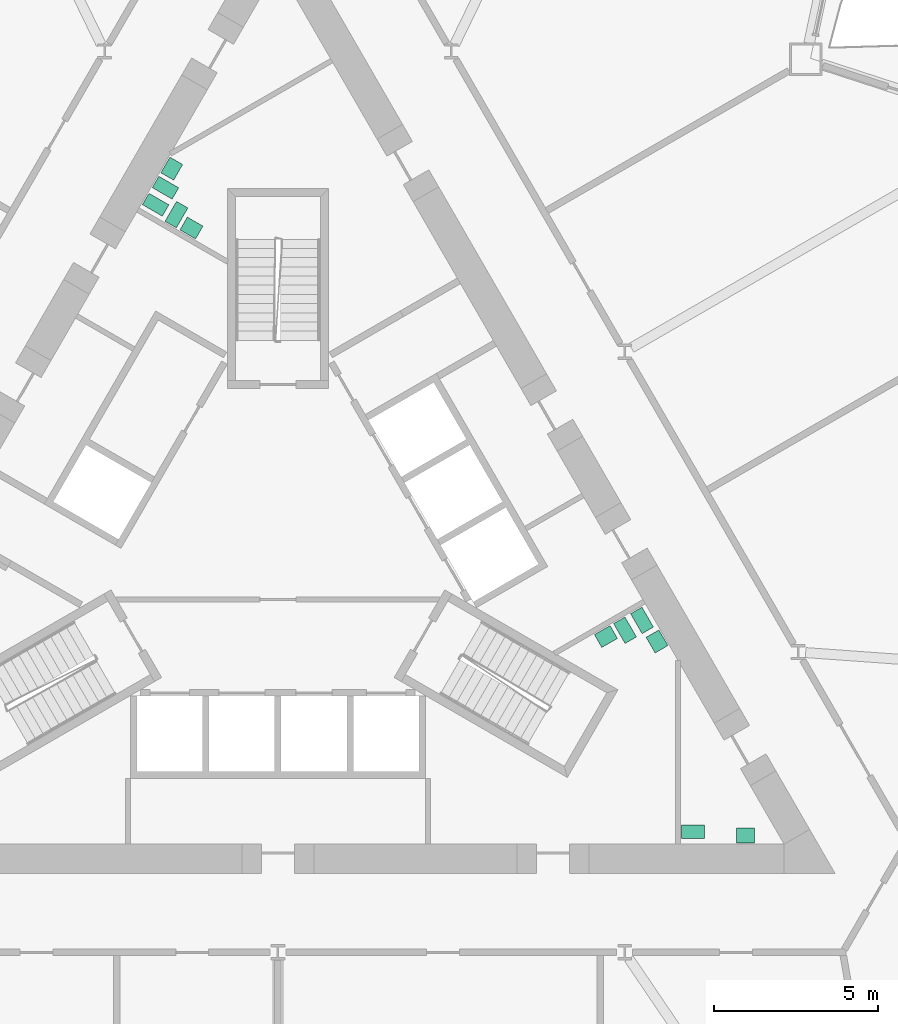
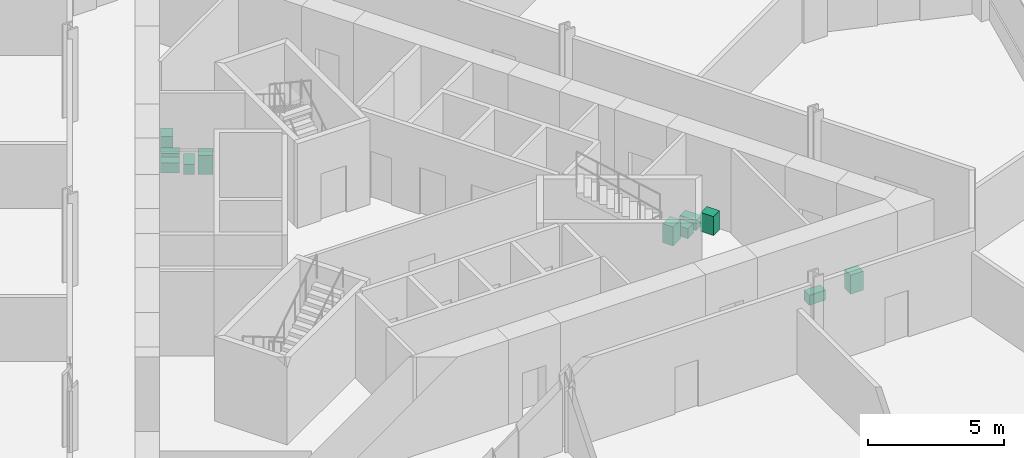
# One storey, part 20 of 21: 11 sanitary terminals.
"""IFC4 building model written with IfcOpenShell, lengths in metres."""

from ifc_helpers import new_model, si_unit, direction, frame, origin, origin_2d, place, context, subcontext, project, spatial, rectangle, extrude, material, type_object, element, save


model = new_model("IFC4")

# Units and contexts
model_context = context("Model", 3, precision=1e-05, world=origin(), true_north=direction((0.0, 1.0)))
body_context = subcontext(model_context, "Body", "Model", "MODEL_VIEW")
ifc_project = project(units=[si_unit("LENGTHUNIT", "METRE"), si_unit("AREAUNIT", "SQUARE_METRE"), si_unit("VOLUMEUNIT", "CUBIC_METRE"), si_unit("PLANEANGLEUNIT", "RADIAN"), si_unit("MASSUNIT", "GRAM", prefix="KILO")], contexts=[model_context])

# Site, building, storey
site_placement = place(None, origin())
site = spatial("IfcSite", under=ifc_project, at=site_placement, CompositionType="ELEMENT")
building_placement = place(site_placement, origin())
building = spatial("IfcBuilding", under=site, at=building_placement, Name="Cormorant Prow Tower", CompositionType="ELEMENT")
storey_placement = place(building_placement, frame((0.0, 0.0, 67.800048828125)))
storey = spatial("IfcBuildingStorey", under=building, at=storey_placement, Name="L14", CompositionType="ELEMENT", Elevation=67.800048828125)

# Sanitary terminals
ifc_material_1 = material(Name="Vitreous china")
sanitary_terminal_type_1 = type_object("IfcSanitaryTerminalType", Name="Wash basin 550x450", PredefinedType="WASHHANDBASIN", material=ifc_material_1)
for number, where, z_axis, x_axis, name in (
    (1, (-3.2373046875, 11.6923828125, 0.0), (0.0, 0.0, 1.0), (-0.500015114919, -0.866016677006, 0.0), "Wash basin"),
    (2, (-2.6376953125, 9.881103515625, 0.0), (0.0, 0.0, 1.0), (0.866016677006, -0.500015114919, 0.0), "Wash basin"),
    (3, (11.564697265625, -2.730712890625, 0.0), (0.0, 0.0, 1.0), (-0.499984884929, 0.866034130299, 0.0), "Wash basin"),
    (4, (10.006103515625, -2.581298828125, 0.0), (0.0, 0.0, 1.0), (-0.866016677006, -0.500015114919, 0.0), "Wash basin"),
    (5, (14.268798828125, -8.64990234375, 0.0), (0.0, 0.0, 1.0), (1.0, 0.0, 0.0), "Wash basin"),
):
    element("IfcSanitaryTerminal", number, at=place(storey_placement, frame(where, z_axis=z_axis, x_axis=x_axis)), inside=storey, type_object=sanitary_terminal_type_1, Name=name, PredefinedType="WASHHANDBASIN", context=body_context, shape_type="SweptSolid", body=[
        extrude(rectangle(XDim=0.550048828125, YDim=0.449951171875, at=origin_2d()), origin(), (0.0, 0.0, 1.0), 0.85009765625),
    ])
ifc_material_2 = material(Name="Vitreous china")
sanitary_terminal_type_2 = type_object("IfcSanitaryTerminalType", Name="Water closet 400x700", PredefinedType="WCSEAT", material=ifc_material_2)
for number, where, z_axis, x_axis, name in (
    (6, (-3.729248046875, 10.5908203125, 0.0), (0.0, 0.0, 1.0), (-0.500015114919, -0.866016677006, 0.0), "Water closet"),
    (7, (-3.42919921875, 11.1103515625, 0.0), (0.0, 0.0, 1.0), (-0.500015114919, -0.866016677006, 0.0), "Water closet"),
    (8, (-3.0947265625, 10.289306640625, 0.0), (0.0, 0.0, 1.0), (0.866016677006, -0.500015114919, 0.0), "Water closet"),
    (9, (11.10791015625, -2.089599609375, 0.0), (0.0, 0.0, 1.0), (-0.866016677006, -0.500015114919, 0.0), "Water closet"),
    (10, (10.58837890625, -2.3896484375, 0.0), (0.0, 0.0, 1.0), (-0.866016677006, -0.500015114919, 0.0), "Water closet"),
    (11, (12.668701171875, -8.537109375, 0.0), (0.0, 0.0, 1.0), (0.0, -1.0, 0.0), "Water closet"),
):
    element("IfcSanitaryTerminal", number, at=place(storey_placement, frame(where, z_axis=z_axis, x_axis=x_axis)), inside=storey, type_object=sanitary_terminal_type_2, Name=name, PredefinedType="WCSEAT", context=body_context, shape_type="SweptSolid", body=[
        extrude(rectangle(XDim=0.39990234375, YDim=0.699951171875, at=origin_2d()), origin(), (0.0, 0.0, 1.0), 0.449951171875),
    ])

save(model, "model.ifc")
